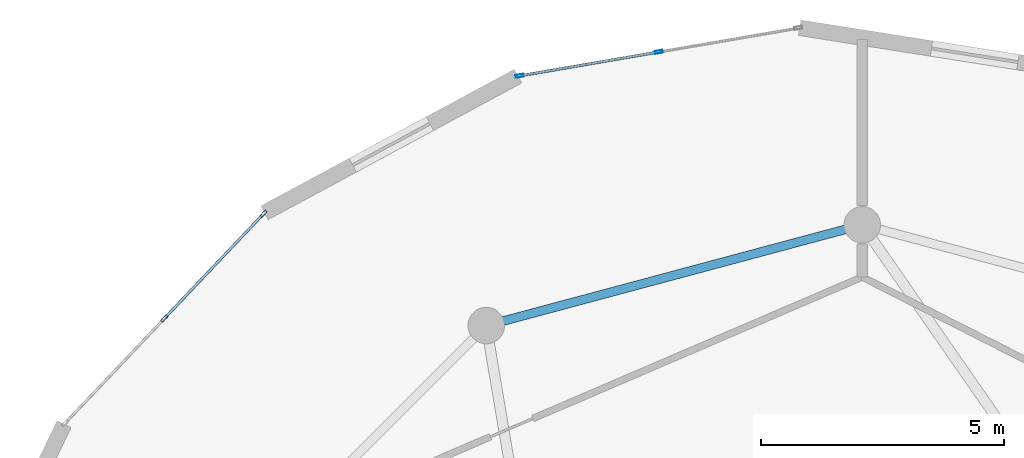
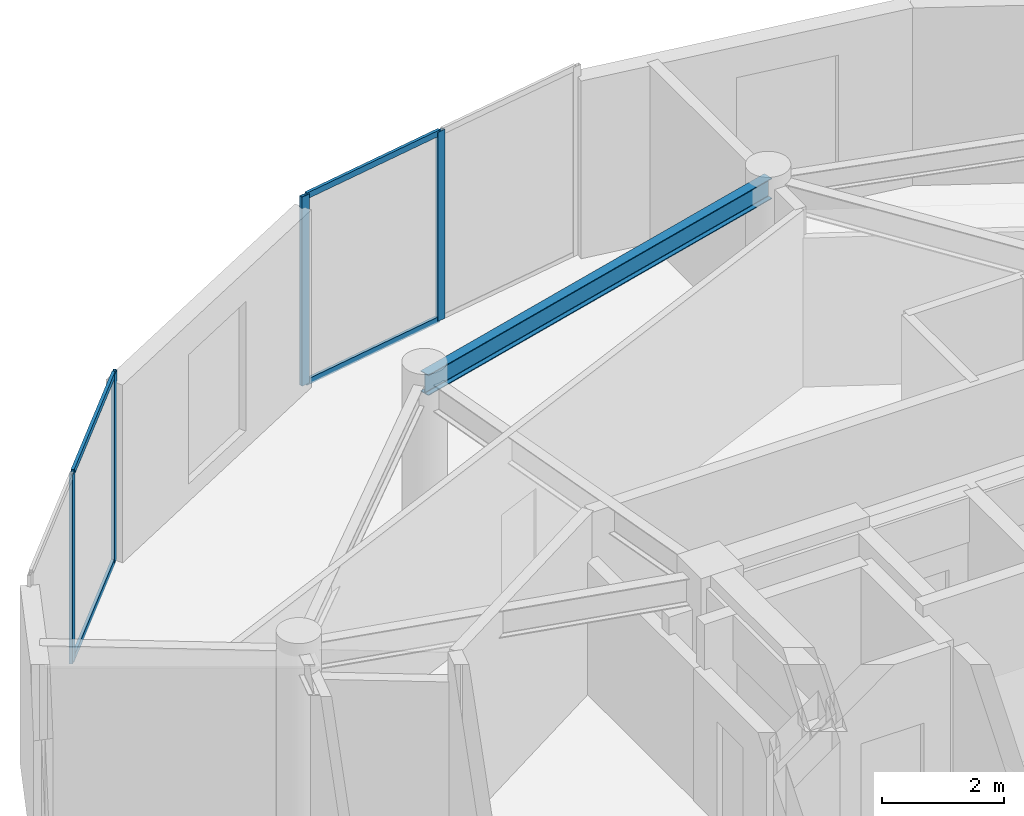
# One storey, part 13 of 22: 8 members, 1 beam, 2 elements without a shape of their own.
"""IFC4 building model written with IfcOpenShell, lengths in metres."""

from ifc_helpers import new_model, si_unit, direction, frame, origin, origin_2d, place, context, subcontext, project, spatial, hollow_rectangle, i_section, extrude, source, transform, mapped, material, layer, layer_set, material_profile, profile_set, type_object, element, aggregate, save


model = new_model("IFC4")

# Units and contexts
model_context = context("Model", 3, precision=1e-05, world=origin(), true_north=direction((0.0, 1.0)))
body_context = subcontext(model_context, "Body", "Model", "MODEL_VIEW")
ifc_project = project(units=[si_unit("LENGTHUNIT", "METRE"), si_unit("AREAUNIT", "SQUARE_METRE"), si_unit("VOLUMEUNIT", "CUBIC_METRE"), si_unit("PLANEANGLEUNIT", "RADIAN"), si_unit("MASSUNIT", "GRAM", prefix="KILO")], contexts=[model_context])

# Site, building, storey
site_placement = place(None, origin())
site = spatial("IfcSite", under=ifc_project, at=site_placement, CompositionType="ELEMENT")
building_placement = place(site_placement, origin())
building = spatial("IfcBuilding", under=site, at=building_placement, Name="Solvirekh Grand Hotel", CompositionType="ELEMENT")
storey_placement = place(building_placement, frame((0.0, 0.0, 278.199951171875)))
storey = spatial("IfcBuildingStorey", under=building, at=storey_placement, Name="L72", CompositionType="ELEMENT", Elevation=278.199951171875)

# Beam
ifc_material_1 = material(Name="Steel S355", Category="steel")
ifc_material_profile_1 = material_profile(ifc_material_1, i_section(OverallWidth=0.180908203125, OverallDepth=0.4169921875, WebThickness=0.010009765625, FlangeThickness=0.01611328125, FilletRadius=0.011962890625, at=origin_2d()), Name="W410X85")
ifc_profile_set_1 = profile_set([ifc_material_profile_1], Name="Steel S355")
beam_type = type_object("IfcBeamType", Name="Spandrel_Ring_W410", PredefinedType="SPANDREL", material=ifc_profile_set_1)
beam_placement = place(storey_placement, frame((0.0, 15.449951171875, 3.361083984375), z_axis=(-0.965921616143, -0.258834757072, 0.0), x_axis=(0.258834757072, -0.965921616143, 0.0)))
element("IfcBeam", 1, at=beam_placement, inside=storey, type_object=beam_type, Name="L72 perimeter spandrel beam 4", PredefinedType="SPANDREL", context=body_context, shape_type="SweptSolid", body=[
    extrude(i_section(OverallWidth=0.180908203125, OverallDepth=0.4169921875, WebThickness=0.010009765625, FlangeThickness=0.01611328125, FilletRadius=0.011962890625, at=origin_2d()), origin(), (0.0, 0.0, 1.0), 7.99755859375),
])

# Curtain wall, members
ifc_material_2 = material(Name="Anodized Bronze Aluminium 6063-T6", Category="aluminium")
ifc_layer = layer(ifc_material_2, 0.159912109375)
ifc_layer_set = layer_set([ifc_layer], Name="Anodized Bronze Aluminium 6063-T6")
curtain_wall_type = type_object("IfcCurtainWallType", Name="CW_Sys4_HighZoneFlushBronzeCW", PredefinedType="NOTDEFINED", material=ifc_layer_set)
curtain_wall_1_placement = place(storey_placement, origin())
curtain_wall_1 = element("IfcCurtainWall", 2, at=curtain_wall_1_placement, inside=storey, type_object=curtain_wall_type, Name="L72 unitised bronze-glass curtain wall CW-L72-C11", PredefinedType="NOTDEFINED")
ifc_material_profile_2 = material_profile(ifc_material_2, hollow_rectangle(XDim=0.06005859375, YDim=0.159912109375, WallThickness=0.0048828125, at=origin_2d()), Name="ALU RHS 160X60X5")
ifc_profile_set_2 = profile_set([ifc_material_profile_2], Name="Anodized Bronze Aluminium 6063-T6")
member_type_1 = type_object("IfcMemberType", Name="CWMullion_Sys4", PredefinedType="MULLION", material=ifc_profile_set_2)
shared_shape_1 = source(origin(), body_context, "Body", "SweptSolid", [
    extrude(hollow_rectangle(XDim=0.06005859375, YDim=0.159912109375, WallThickness=0.0048828125, at=origin_2d()), origin(), (0.0, 0.0, 1.0), 3.800048828125),
])
member_1_placement = place(storey_placement, frame((-4.179443359375, 19.00244140625, 0.0), z_axis=(0.0, 0.0, 1.0), x_axis=(0.169450661535, -0.985538671644, 0.0)))
member_1 = element("IfcMember", 3, at=member_1_placement, type_object=member_type_1, Name="U04 mullion 2", PredefinedType="MULLION", context=body_context, shape_type="MappedRepresentation", body=[
    mapped(shared_shape_1, transform((0.0, 0.0, 0.0), x_axis=(1.0, 0.0, 0.0), y_axis=(0.0, 1.0, 0.0), z_axis=(0.0, 0.0, 1.0), scale=1.0)),
])
member_2_placement = place(storey_placement, frame((-7.04345703125, 18.510009765625, 0.0), z_axis=(0.0, 0.0, 1.0), x_axis=(0.169450661535, -0.985538671644, 0.0)))
member_2 = element("IfcMember", 4, at=member_2_placement, type_object=member_type_1, Name="U04 mullion 3", PredefinedType="MULLION", context=body_context, shape_type="MappedRepresentation", body=[
    mapped(shared_shape_1, transform((0.0, 0.0, 0.0), x_axis=(1.0, 0.0, 0.0), y_axis=(0.0, 1.0, 0.0), z_axis=(0.0, 0.0, 1.0), scale=1.0)),
])

curtain_wall_2_placement = place(storey_placement, origin())
curtain_wall_2 = element("IfcCurtainWall", 5, at=curtain_wall_2_placement, inside=storey, type_object=curtain_wall_type, Name="L72 unitised bronze-glass curtain wall CW-L72-C13", PredefinedType="NOTDEFINED")
member_3_placement = place(storey_placement, frame((-12.3017578125, 15.67724609375, 0.0), z_axis=(0.0, 0.0, 1.0), x_axis=(0.725654056171, -0.688059729066, 0.0)))
member_3 = element("IfcMember", 6, at=member_3_placement, type_object=member_type_1, Name="U04 mullion 1", PredefinedType="MULLION", context=body_context, shape_type="MappedRepresentation", body=[
    mapped(shared_shape_1, transform((0.0, 0.0, 0.0), x_axis=(1.0, 0.0, 0.0), y_axis=(0.0, 1.0, 0.0), z_axis=(0.0, 0.0, 1.0), scale=1.0)),
])
member_4_placement = place(storey_placement, frame((-14.340087890625, 13.527587890625, 0.0), z_axis=(0.0, 0.0, 1.0), x_axis=(0.725654056171, -0.688059729066, 0.0)))
member_4 = element("IfcMember", 7, at=member_4_placement, type_object=member_type_1, Name="U04 mullion 2", PredefinedType="MULLION", context=body_context, shape_type="MappedRepresentation", body=[
    mapped(shared_shape_1, transform((0.0, 0.0, 0.0), x_axis=(1.0, 0.0, 0.0), y_axis=(0.0, 1.0, 0.0), z_axis=(0.0, 0.0, 1.0), scale=1.0)),
])
ifc_material_profile_3 = material_profile(ifc_material_2, hollow_rectangle(XDim=0.054931640625, YDim=0.1201171875, WallThickness=0.00390625, at=origin_2d()), Name="ALU RHS 120X55X4")
ifc_profile_set_3 = profile_set([ifc_material_profile_3], Name="Anodized Bronze Aluminium 6063-T6")
member_type_2 = type_object("IfcMemberType", Name="CWTransom_Sys4", PredefinedType="USERDEFINED", material=ifc_profile_set_3)
shared_shape_2 = source(origin(), body_context, "Body", "SweptSolid", [
    extrude(hollow_rectangle(XDim=0.054931640625, YDim=0.1201171875, WallThickness=0.00390625, at=origin_2d()), origin(), (0.0, 0.0, 1.0), 2.902587890625),
])
member_5_placement = place(storey_placement, frame((-12.322265625, 15.655517578125, 0.027587890625), z_axis=(-0.688057220203, -0.725656435048, 0.0), x_axis=(0.725656435048, -0.688057220203, 0.0)))
member_5 = element("IfcMember", 8, at=member_5_placement, type_object=member_type_2, Name="U04 transom 1.1", ObjectType="TRANSOM", PredefinedType="USERDEFINED", context=body_context, shape_type="MappedRepresentation", body=[
    mapped(shared_shape_2, transform((0.0, 0.0, 0.0), x_axis=(1.0, 0.0, 0.0), y_axis=(0.0, 1.0, 0.0), z_axis=(0.0, 0.0, 1.0), scale=1.0)),
])
member_6_placement = place(storey_placement, frame((-12.322265625, 15.655517578125, 3.7724609375), z_axis=(-0.688057220203, -0.725656435048, 0.0), x_axis=(0.725656435048, -0.688057220203, 0.0)))
member_6 = element("IfcMember", 9, at=member_6_placement, type_object=member_type_2, Name="U04 transom 1.2", ObjectType="TRANSOM", PredefinedType="USERDEFINED", context=body_context, shape_type="MappedRepresentation", body=[
    mapped(shared_shape_2, transform((0.0, 0.0, 0.0), x_axis=(1.0, 0.0, 0.0), y_axis=(0.0, 1.0, 0.0), z_axis=(0.0, 0.0, 1.0), scale=1.0)),
])
aggregate(curtain_wall_2, [member_3, member_4, member_5, member_6])

# Member
shared_shape_3 = source(origin(), body_context, "Body", "SweptSolid", [
    extrude(hollow_rectangle(XDim=0.054931640625, YDim=0.1201171875, WallThickness=0.00390625, at=origin_2d()), origin(), (0.0, 0.0, 1.0), 2.84619140625),
])
member_7_placement = place(storey_placement, frame((-4.208984375, 18.997314453125, 0.027587890625), z_axis=(-0.985544191415, -0.16941855497, 0.0), x_axis=(0.16941855497, -0.985544191415, 0.0)))
member_7 = element("IfcMember", 10, at=member_7_placement, type_object=member_type_2, Name="U04 transom 2.1", ObjectType="TRANSOM", PredefinedType="USERDEFINED", context=body_context, shape_type="MappedRepresentation", body=[
    mapped(shared_shape_3, transform((0.0, 0.0, 0.0), x_axis=(1.0, 0.0, 0.0), y_axis=(0.0, 1.0, 0.0), z_axis=(0.0, 0.0, 1.0), scale=1.0)),
])

member_8_placement = place(storey_placement, frame((-4.208984375, 18.997314453125, 3.7724609375), z_axis=(-0.985544191415, -0.16941855497, 0.0), x_axis=(0.16941855497, -0.985544191415, 0.0)))
member_8 = element("IfcMember", 11, at=member_8_placement, type_object=member_type_2, Name="U04 transom 2.2", ObjectType="TRANSOM", PredefinedType="USERDEFINED", context=body_context, shape_type="MappedRepresentation", body=[
    mapped(shared_shape_3, transform((0.0, 0.0, 0.0), x_axis=(1.0, 0.0, 0.0), y_axis=(0.0, 1.0, 0.0), z_axis=(0.0, 0.0, 1.0), scale=1.0)),
])

aggregate(curtain_wall_1, [member_1, member_2, member_7, member_8])

save(model, "model.ifc")
